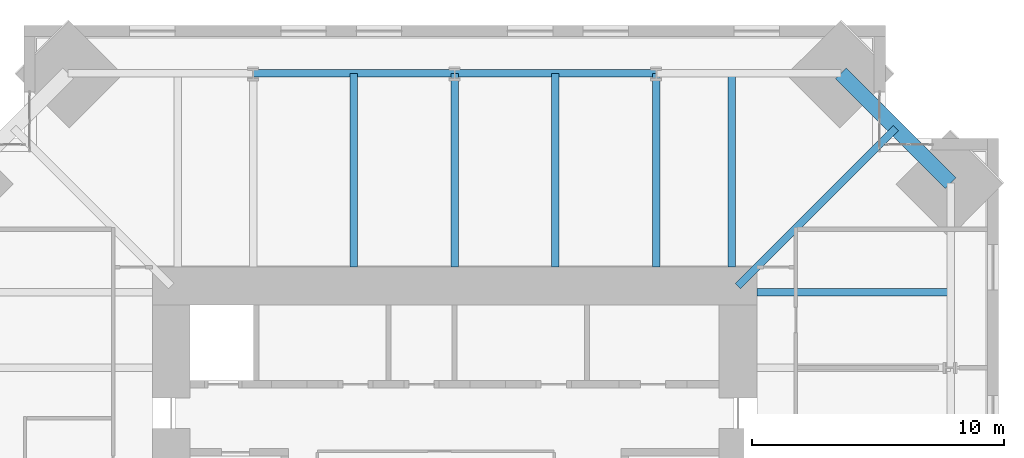
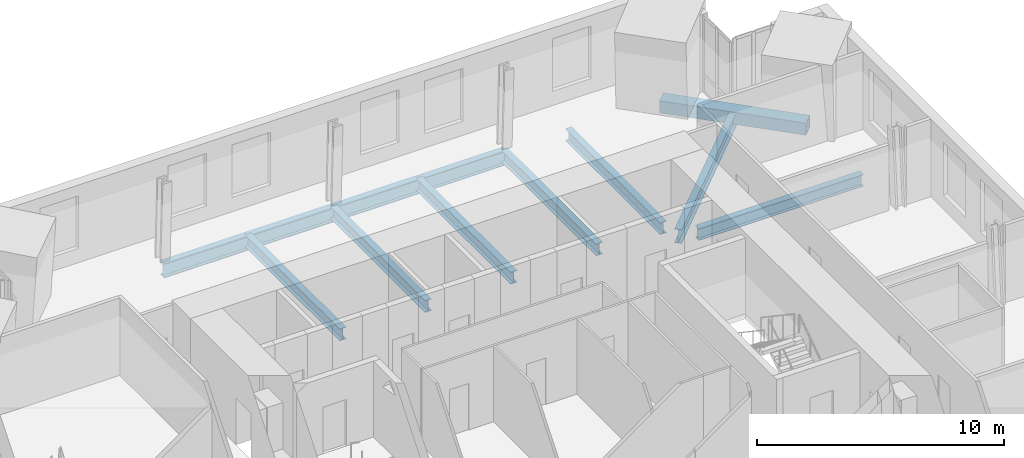
# One storey, part 7 of 16: 10 beams.
"""IFC4 building model written with IfcOpenShell, lengths in metres."""

from ifc_helpers import new_model, si_unit, direction, frame, origin, origin_2d, place, context, subcontext, project, spatial, hollow_rectangle, i_section, extrude, material, material_profile, profile_set, type_object, element, save


model = new_model("IFC4")

# Units and contexts
model_context = context("Model", 3, precision=1e-05, world=origin(), true_north=direction((0.0, 1.0)))
body_context = subcontext(model_context, "Body", "Model", "MODEL_VIEW")
ifc_project = project(units=[si_unit("LENGTHUNIT", "METRE"), si_unit("AREAUNIT", "SQUARE_METRE"), si_unit("VOLUMEUNIT", "CUBIC_METRE"), si_unit("PLANEANGLEUNIT", "RADIAN"), si_unit("MASSUNIT", "GRAM", prefix="KILO")], contexts=[model_context])

# Site, building, storey
site_placement = place(None, origin())
site = spatial("IfcSite", under=ifc_project, at=site_placement, CompositionType="ELEMENT")
building_placement = place(site_placement, origin())
building = spatial("IfcBuilding", under=site, at=building_placement, Name="Peilmerk Tower", CompositionType="ELEMENT")
storey_placement = place(building_placement, frame((0.0, 0.0, 277.800048828125)))
storey = spatial("IfcBuildingStorey", under=building, at=storey_placement, Name="L62", CompositionType="ELEMENT", Elevation=277.800048828125)

# Beams
ifc_material_1 = material(Name="Steel S355", Category="steel")
ifc_material_profile_1 = material_profile(ifc_material_1, i_section(OverallWidth=0.300048828125, OverallDepth=0.68994140625, WebThickness=0.014404296875, FlangeThickness=0.027099609375, at=origin_2d()), Name="HEA 700")
ifc_profile_set_1 = profile_set([ifc_material_profile_1], Name="Steel S355")
beam_type_1 = type_object("IfcBeamType", Name="B16 HEA 700 floor beam", PredefinedType="BEAM", material=ifc_profile_set_1)
beam_1_placement = place(storey_placement, frame((11.25, 11.25, -0.51513671875), z_axis=(0.707106781187, 0.707106781187, 0.0), x_axis=(-0.707106781187, 0.707106781187, 0.0)))
element("IfcBeam", 1, at=beam_1_placement, inside=storey, type_object=beam_type_1, Name="Corner girder L62", PredefinedType="BEAM", context=body_context, shape_type="SweptSolid", body=[
    extrude(i_section(OverallWidth=0.300048828125, OverallDepth=0.68994140625, WebThickness=0.014404296875, FlangeThickness=0.027099609375, at=origin_2d()), origin(), (0.0, 0.0, 1.0), 8.867431640625),
])
ifc_material_2 = material(Name="Steel S460", Category="steel")
ifc_material_profile_2 = material_profile(ifc_material_2, hollow_rectangle(XDim=0.60009765625, YDim=0.60009765625, WallThickness=0.06005859375, at=origin_2d()), Name="BOX 600x600x60")
ifc_profile_set_2 = profile_set([ifc_material_profile_2], Name="Steel S460")
beam_type_2 = type_object("IfcBeamType", Name="B20 BOX 600x600x60 notch beam", PredefinedType="SPANDREL", material=ifc_profile_set_2)
beam_2_placement = place(storey_placement, frame((15.34521484375, 19.695068359375, -0.469970703125), z_axis=(0.707106781187, -0.707106781187, 0.0), x_axis=(0.707106781187, 0.707106781187, 0.0)))
element("IfcBeam", 2, at=beam_2_placement, inside=storey, type_object=beam_type_2, Name="Notch beam L62", PredefinedType="SPANDREL", context=body_context, shape_type="SweptSolid", body=[
    extrude(hollow_rectangle(XDim=0.60009765625, YDim=0.60009765625, WallThickness=0.06005859375, at=origin_2d()), origin(), (0.0, 0.0, 1.0), 6.151611328125),
])
ifc_material_profile_3 = material_profile(ifc_material_1, i_section(OverallWidth=0.300048828125, OverallDepth=0.590087890625, WebThickness=0.012939453125, FlangeThickness=0.02490234375, at=origin_2d()), Name="HEA 600")
ifc_profile_set_3 = profile_set([ifc_material_profile_3], Name="Steel S355")
beam_type_3 = type_object("IfcBeamType", Name="B27 HEA 600 floor beam", PredefinedType="BEAM", material=ifc_profile_set_3)
for number, where, z_axis, x_axis, name in (
    (3, (11.0, 12.0, -0.465087890625), (0.0, 1.0, 0.0), (-1.0, 0.0, 0.0), "Floor beam L62"),
    (4, (8.0, 12.0, -0.465087890625), (0.0, 1.0, 0.0), (-1.0, 0.0, 0.0), "Floor beam L62"),
    (5, (4.0, 12.0, -0.465087890625), (0.0, 1.0, 0.0), (-1.0, 0.0, 0.0), "Floor beam L62"),
    (6, (0.0, 12.0, -0.465087890625), (0.0, 1.0, 0.0), (-1.0, 0.0, 0.0), "Floor beam L62"),
    (7, (-4.0, 12.0, -0.465087890625), (0.0, 1.0, 0.0), (-1.0, 0.0, 0.0), "Floor beam L62"),
    (8, (12.0, 11.0, -0.465087890625), (1.0, 0.0, 0.0), (0.0, 1.0, 0.0), "Floor beam L62"),
):
    element("IfcBeam", number, at=place(storey_placement, frame(where, z_axis=z_axis, x_axis=x_axis)), inside=storey, type_object=beam_type_3, Name=name, PredefinedType="BEAM", context=body_context, shape_type="SweptSolid", body=[
        extrude(i_section(OverallWidth=0.300048828125, OverallDepth=0.590087890625, WebThickness=0.012939453125, FlangeThickness=0.02490234375, at=origin_2d()), origin(), (0.0, 0.0, 1.0), 7.695068359375),
    ])
ifc_material_profile_4 = material_profile(ifc_material_1, i_section(OverallWidth=0.303955078125, OverallDepth=0.716064453125, WebThickness=0.02099609375, FlangeThickness=0.0400390625, at=origin_2d()), Name="HEM 700")
ifc_profile_set_4 = profile_set([ifc_material_profile_4], Name="Steel S355")
beam_type_4 = type_object("IfcBeamType", Name="B30 HEM 700 edge beam", PredefinedType="SPANDREL", material=ifc_profile_set_4)
for number, where, z_axis, x_axis, name in (
    (9, (8.0, 19.695068359375, -0.528076171875), (-1.0, 0.0, 0.0), (0.0, -1.0, 0.0), "Edge beam L62"),
    (10, (0.0, 19.695068359375, -0.528076171875), (-1.0, 0.0, 0.0), (0.0, -1.0, 0.0), "Edge beam L62"),
):
    element("IfcBeam", number, at=place(storey_placement, frame(where, z_axis=z_axis, x_axis=x_axis)), inside=storey, type_object=beam_type_4, Name=name, PredefinedType="SPANDREL", context=body_context, shape_type="SweptSolid", body=[
        extrude(i_section(OverallWidth=0.303955078125, OverallDepth=0.716064453125, WebThickness=0.02099609375, FlangeThickness=0.0400390625, at=origin_2d()), origin(), (0.0, 0.0, 1.0), 8.0),
    ])

save(model, "model.ifc")
